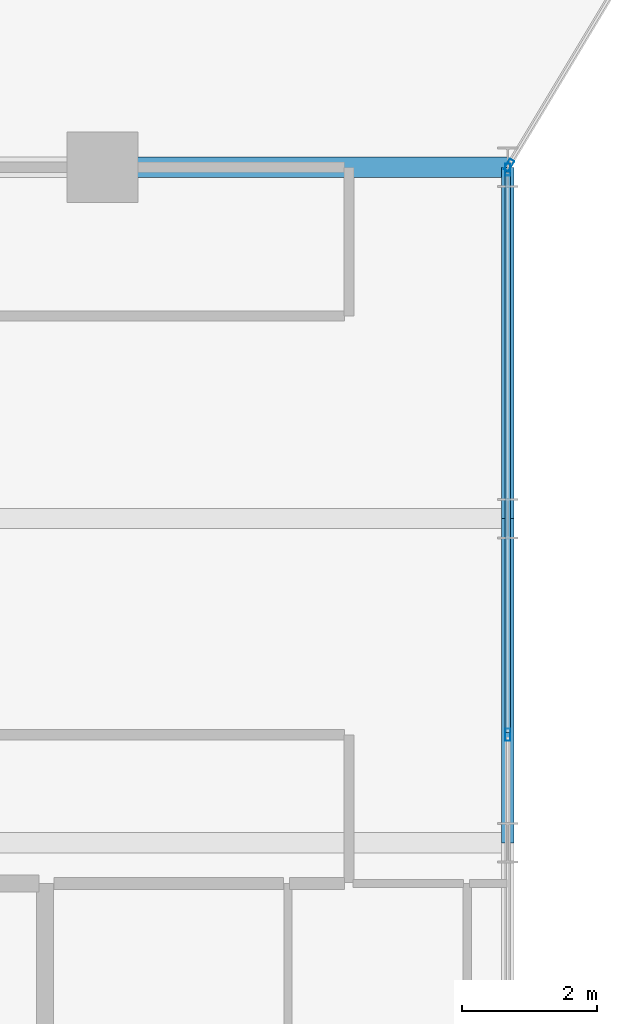
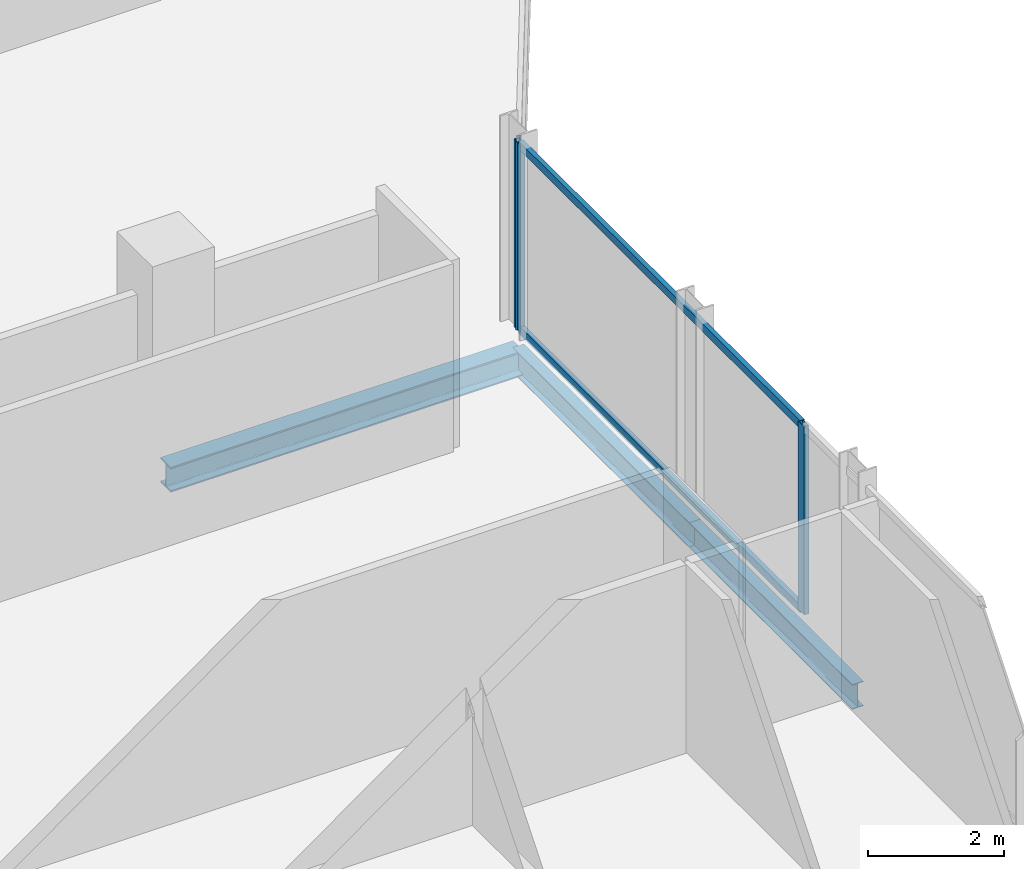
# One storey, part 12 of 29: 5 members, 3 beams, 2 elements without a shape of their own.
"""IFC4 building model written with IfcOpenShell, lengths in metres."""

from ifc_helpers import new_model, si_unit, direction, frame, origin, origin_2d, place, context, subcontext, project, spatial, hollow_rectangle, i_section, extrude, material, layer, layer_set, material_profile, profile_set, type_object, element, aggregate, save


model = new_model("IFC4")

# Units and contexts
model_context = context("Model", 3, precision=1e-05, world=origin(), true_north=direction((0.0, 1.0)))
body_context = subcontext(model_context, "Body", "Model", "MODEL_VIEW")
ifc_project = project(units=[si_unit("LENGTHUNIT", "METRE"), si_unit("AREAUNIT", "SQUARE_METRE"), si_unit("VOLUMEUNIT", "CUBIC_METRE"), si_unit("PLANEANGLEUNIT", "RADIAN"), si_unit("MASSUNIT", "GRAM", prefix="KILO")], contexts=[model_context])

# Site, building, storey
site_placement = place(None, origin())
site = spatial("IfcSite", under=ifc_project, at=site_placement, CompositionType="ELEMENT")
building_placement = place(site_placement, origin())
building = spatial("IfcBuilding", under=site, at=building_placement, Name="Keshet Zoharim Tower", CompositionType="ELEMENT")
storey_placement = place(building_placement, frame((0.0, 0.0, 98.300048828125)))
storey = spatial("IfcBuildingStorey", under=building, at=storey_placement, Name="L23", CompositionType="ELEMENT", Elevation=98.300048828125)

# Beams
ifc_material_1 = material(Name="Steel S355", Category="steel")
ifc_material_profile_1 = material_profile(ifc_material_1, i_section(OverallWidth=0.18994140625, OverallDepth=0.449951171875, WebThickness=0.009521484375, FlangeThickness=0.0146484375, FilletRadius=0.02099609375, at=origin_2d()), Name="IPE450")
ifc_profile_set_1 = profile_set([ifc_material_profile_1], Name="Steel S355")
beam_type_1 = type_object("IfcBeamType", Name="BM-PRI-IP450", PredefinedType="BEAM", material=ifc_profile_set_1)
beam_1_placement = place(storey_placement, frame((57.0, 17.89990234375, -0.5400390625), z_axis=(0.0, 1.0, 0.0), x_axis=(-1.0, 0.0, 0.0)))
element("IfcBeam", 1, at=beam_1_placement, inside=storey, type_object=beam_type_1, Name="L23 Primary Girder Y-015", PredefinedType="BEAM", context=body_context, shape_type="SweptSolid", body=[
    extrude(i_section(OverallWidth=0.18994140625, OverallDepth=0.449951171875, WebThickness=0.009521484375, FlangeThickness=0.0146484375, FilletRadius=0.02099609375, at=origin_2d()), origin(), (0.0, 0.0, 1.0), 4.800048828125),
])
beam_2_placement = place(storey_placement, frame((57.0, 22.699951171875, -0.5400390625), z_axis=(0.0, 1.0, 0.0), x_axis=(-1.0, 0.0, 0.0)))
element("IfcBeam", 2, at=beam_2_placement, inside=storey, type_object=beam_type_1, Name="L23 Primary Girder Y-016", PredefinedType="BEAM", context=body_context, shape_type="SweptSolid", body=[
    extrude(i_section(OverallWidth=0.18994140625, OverallDepth=0.449951171875, WebThickness=0.009521484375, FlangeThickness=0.0146484375, FilletRadius=0.02099609375, at=origin_2d()), origin(), (0.0, 0.0, 1.0), 5.199951171875),
])
ifc_material_profile_2 = material_profile(ifc_material_1, i_section(OverallWidth=0.300048828125, OverallDepth=0.449951171875, WebThickness=0.013916015625, FlangeThickness=0.02587890625, FilletRadius=0.027099609375, at=origin_2d()), Name="HEB450")
ifc_profile_set_2 = profile_set([ifc_material_profile_2], Name="Steel S355")
beam_type_2 = type_object("IfcBeamType", Name="BM-WEB-HB450", PredefinedType="BEAM", material=ifc_profile_set_2)
beam_3_placement = place(storey_placement, frame((51.0, 27.89990234375, -0.5400390625), z_axis=(1.0, 0.0, 0.0), x_axis=(0.0, 1.0, 0.0)))
element("IfcBeam", 3, at=beam_3_placement, inside=storey, type_object=beam_type_2, Name="L23 Primary Girder X-017", PredefinedType="BEAM", context=body_context, shape_type="SweptSolid", body=[
    extrude(i_section(OverallWidth=0.300048828125, OverallDepth=0.449951171875, WebThickness=0.013916015625, FlangeThickness=0.02587890625, FilletRadius=0.027099609375, at=origin_2d()), origin(), (0.0, 0.0, 1.0), 6.0),
])

# Curtain wall, member
ifc_material_2 = material(Name="Aluminium 6063-T6", Category="aluminium")
ifc_layer = layer(ifc_material_2, 0.159912109375)
ifc_layer_set = layer_set([ifc_layer], Name="Aluminium 6063-T6")
curtain_wall_type = type_object("IfcCurtainWallType", Name="CW-SYS-03", PredefinedType="NOTDEFINED", material=ifc_layer_set)
curtain_wall_1_placement = place(storey_placement, origin())
curtain_wall_1 = element("IfcCurtainWall", 4, at=curtain_wall_1_placement, inside=storey, type_object=curtain_wall_type, Name="L23 Unitised Curtain Wall 18", PredefinedType="NOTDEFINED")
ifc_material_profile_3 = material_profile(ifc_material_2, hollow_rectangle(XDim=0.080078125, YDim=0.179931640625, WallThickness=0.00439453125, at=origin_2d()), Name="MUL-80x180")
ifc_profile_set_3 = profile_set([ifc_material_profile_3], Name="Aluminium 6063-T6")
member_type_1 = type_object("IfcMemberType", Name="CWM-M18", PredefinedType="MULLION", material=ifc_profile_set_3)
member_1_placement = place(storey_placement, frame((57.01806640625, 27.929931640625, 0.0), z_axis=(0.0, 0.0, 1.0), x_axis=(0.857501477862, -0.514481501576, 0.0)))
member_1 = element("IfcMember", 5, at=member_1_placement, type_object=member_type_1, Name="CW-03 mullion 2", PredefinedType="MULLION", context=body_context, shape_type="SweptSolid", body=[
    extrude(hollow_rectangle(XDim=0.080078125, YDim=0.179931640625, WallThickness=0.00439453125, at=origin_2d()), origin(), (0.0, 0.0, 1.0), 3.385009765625),
])
aggregate(curtain_wall_1, [member_1])

# Curtain wall, members
curtain_wall_2_placement = place(storey_placement, origin())
curtain_wall_2 = element("IfcCurtainWall", 6, at=curtain_wall_2_placement, inside=storey, type_object=curtain_wall_type, Name="L23 Unitised Curtain Wall 19", PredefinedType="NOTDEFINED")
member_2_placement = place(storey_placement, frame((57.0, 27.864990234375, 0.0), z_axis=(0.0, 0.0, 1.0), x_axis=(1.0, 0.0, 0.0)))
member_2 = element("IfcMember", 7, at=member_2_placement, type_object=member_type_1, Name="CW-03 mullion 1", PredefinedType="MULLION", context=body_context, shape_type="SweptSolid", body=[
    extrude(hollow_rectangle(XDim=0.080078125, YDim=0.179931640625, WallThickness=0.00439453125, at=origin_2d()), origin(), (0.0, 0.0, 1.0), 3.385009765625),
])
member_3_placement = place(storey_placement, frame((57.0, 19.5, 0.0), z_axis=(0.0, 0.0, 1.0), x_axis=(1.0, 0.0, 0.0)))
member_3 = element("IfcMember", 8, at=member_3_placement, type_object=member_type_1, Name="CW-03 mullion 2", PredefinedType="MULLION", context=body_context, shape_type="SweptSolid", body=[
    extrude(hollow_rectangle(XDim=0.080078125, YDim=0.179931640625, WallThickness=0.00439453125, at=origin_2d()), origin(), (0.0, 0.0, 1.0), 3.385009765625),
])
ifc_material_profile_4 = material_profile(ifc_material_2, hollow_rectangle(XDim=0.080078125, YDim=0.139892578125, WallThickness=0.00390625, at=origin_2d()), Name="TRN-80x140")
ifc_profile_set_4 = profile_set([ifc_material_profile_4], Name="Aluminium 6063-T6")
member_type_2 = type_object("IfcMemberType", Name="CWT-T14", PredefinedType="USERDEFINED", material=ifc_profile_set_4)
member_4_placement = place(storey_placement, frame((57.0, 27.830078125, 0.034912109375), z_axis=(0.0, -1.0, 0.0), x_axis=(1.0, 0.0, 0.0)))
member_4 = element("IfcMember", 9, at=member_4_placement, type_object=member_type_2, Name="CW-03 transom 1.1", ObjectType="TRANSOM", PredefinedType="USERDEFINED", context=body_context, shape_type="SweptSolid", body=[
    extrude(hollow_rectangle(XDim=0.080078125, YDim=0.139892578125, WallThickness=0.00390625, at=origin_2d()), origin(), (0.0, 0.0, 1.0), 8.295166015625),
])
member_5_placement = place(storey_placement, frame((57.0, 27.830078125, 3.349853515625), z_axis=(0.0, -1.0, 0.0), x_axis=(1.0, 0.0, 0.0)))
member_5 = element("IfcMember", 10, at=member_5_placement, type_object=member_type_2, Name="CW-03 transom 1.2", ObjectType="TRANSOM", PredefinedType="USERDEFINED", context=body_context, shape_type="SweptSolid", body=[
    extrude(hollow_rectangle(XDim=0.080078125, YDim=0.139892578125, WallThickness=0.00390625, at=origin_2d()), origin(), (0.0, 0.0, 1.0), 8.295166015625),
])
aggregate(curtain_wall_2, [member_2, member_3, member_4, member_5])

save(model, "model.ifc")
